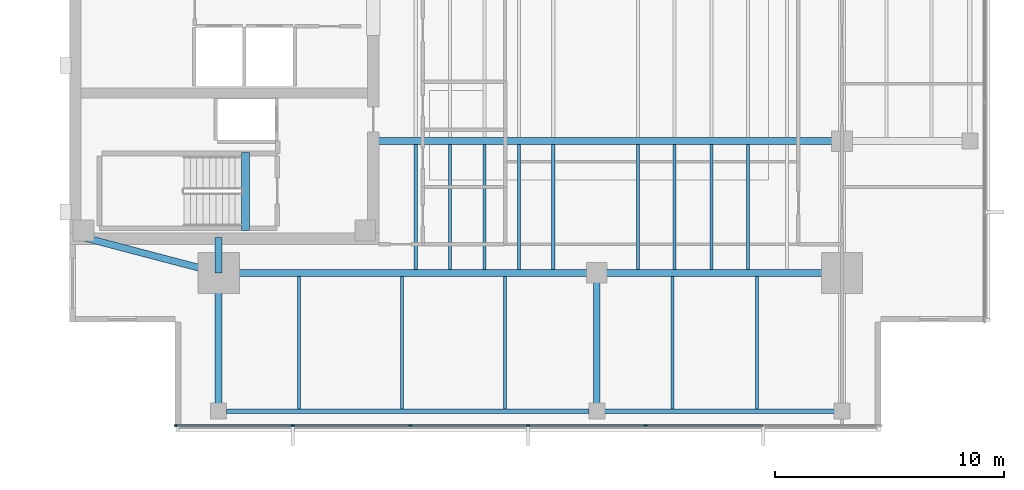
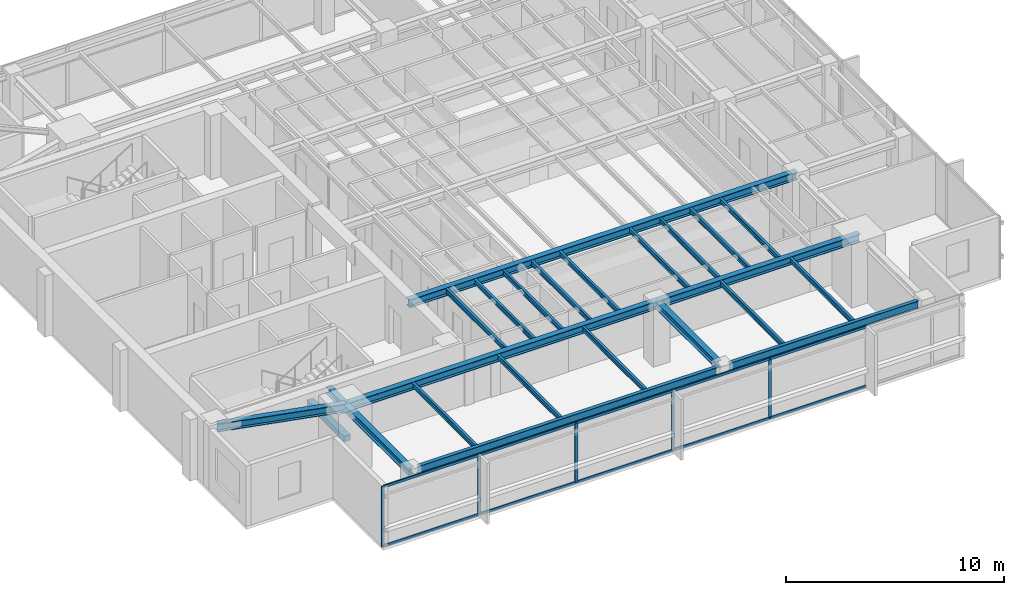
# One storey, part 2 of 14: 24 beams, 15 members, 1 element without a shape of its own.
"""IFC4 building model written with IfcOpenShell, lengths in metres."""

from ifc_helpers import new_model, si_unit, direction, frame, origin, origin_2d, place, context, subcontext, project, spatial, rectangle, i_section, extrude, material, layer, layer_set, material_profile, profile_set, type_object, element, aggregate, save


model = new_model("IFC4")

# Units and contexts
model_context = context("Model", 3, precision=1e-05, world=origin(), true_north=direction((0.0, 1.0)))
body_context = subcontext(model_context, "Body", "Model", "MODEL_VIEW")
ifc_project = project(units=[si_unit("LENGTHUNIT", "METRE"), si_unit("AREAUNIT", "SQUARE_METRE"), si_unit("VOLUMEUNIT", "CUBIC_METRE"), si_unit("PLANEANGLEUNIT", "RADIAN"), si_unit("MASSUNIT", "GRAM", prefix="KILO")], contexts=[model_context])

# Site, building, storey
site_placement = place(None, origin())
site = spatial("IfcSite", under=ifc_project, at=site_placement, CompositionType="ELEMENT")
building_placement = place(site_placement, origin())
building = spatial("IfcBuilding", under=site, at=building_placement, Name="Kinhvarn Gate Tower", CompositionType="ELEMENT")
storey_placement = place(building_placement, frame((0.0, 0.0, 284.75)))
storey = spatial("IfcBuildingStorey", under=building, at=storey_placement, Name="L76", CompositionType="ELEMENT", Elevation=284.75)

# Beam
ifc_material_1 = material(Name="Concrete C50/60", Category="concrete")
ifc_material_profile_1 = material_profile(ifc_material_1, rectangle(XDim=0.340087890625, YDim=0.320068359375, at=origin_2d()), Name="RC 340x320")
ifc_profile_set_1 = profile_set([ifc_material_profile_1], Name="Concrete C50/60")
beam_type_1 = type_object("IfcBeamType", Name="BM-LND-500", PredefinedType="BEAM", material=ifc_profile_set_1)
beam_1_placement = place(storey_placement, frame((12.1650390625, 14.60009765625, -0.159912109375), z_axis=(0.0, 1.0, 0.0), x_axis=(-1.0, 0.0, 0.0)))
element("IfcBeam", 1, at=beam_1_placement, inside=storey, type_object=beam_type_1, Name="Stair ST1 Landing Nosing Beam (L76)", PredefinedType="BEAM", context=body_context, shape_type="SweptSolid", body=[
    extrude(rectangle(XDim=0.340087890625, YDim=0.320068359375, at=origin_2d()), origin(), (0.0, 0.0, 1.0), 3.39990234375),
])

# Curtain wall, members
ifc_material_2 = material(Name="Anodised aluminium AW-6063", Category="aluminium")
ifc_layer = layer(ifc_material_2, 0.179931640625)
ifc_layer_set = layer_set([ifc_layer], Name="Anodised aluminium AW-6063")
curtain_wall_type = type_object("IfcCurtainWallType", Name="CW-SYS-3", PredefinedType="NOTDEFINED", material=ifc_layer_set)
curtain_wall_placement = place(storey_placement, origin())
curtain_wall = element("IfcCurtainWall", 2, at=curtain_wall_placement, inside=storey, type_object=curtain_wall_type, Name="Curtain Wall CW3 (L76)", PredefinedType="NOTDEFINED")
ifc_material_profile_2 = material_profile(ifc_material_2, rectangle(XDim=0.06494140625, YDim=0.159912109375, at=origin_2d()), Name="ALU 65x160")
ifc_profile_set_2 = profile_set([ifc_material_profile_2], Name="Anodised aluminium AW-6063")
member_type_1 = type_object("IfcMemberType", Name="CW-MUL-160", PredefinedType="MULLION", material=ifc_profile_set_2)
member_1_placement = place(storey_placement, frame((9.132568359375, 6.090087890625, 0.0), z_axis=(0.0, 0.0, 1.0), x_axis=(0.0, 1.0, 0.0)))
member_1 = element("IfcMember", 3, at=member_1_placement, type_object=member_type_1, Name="CW3 mullion 1", PredefinedType="MULLION", context=body_context, shape_type="SweptSolid", body=[
    extrude(rectangle(XDim=0.06494140625, YDim=0.159912109375, at=origin_2d()), origin(), (0.0, 0.0, 1.0), 3.389892578125),
])
member_2_placement = place(storey_placement, frame((14.2333984375, 6.090087890625, 0.0), z_axis=(0.0, 0.0, 1.0), x_axis=(0.0, 1.0, 0.0)))
member_2 = element("IfcMember", 4, at=member_2_placement, type_object=member_type_1, Name="CW3 mullion 2", PredefinedType="MULLION", context=body_context, shape_type="SweptSolid", body=[
    extrude(rectangle(XDim=0.06494140625, YDim=0.159912109375, at=origin_2d()), origin(), (0.0, 0.0, 1.0), 3.389892578125),
])
member_3_placement = place(storey_placement, frame((19.36669921875, 6.090087890625, 0.0), z_axis=(0.0, 0.0, 1.0), x_axis=(0.0, 1.0, 0.0)))
member_3 = element("IfcMember", 5, at=member_3_placement, type_object=member_type_1, Name="CW3 mullion 3", PredefinedType="MULLION", context=body_context, shape_type="SweptSolid", body=[
    extrude(rectangle(XDim=0.06494140625, YDim=0.159912109375, at=origin_2d()), origin(), (0.0, 0.0, 1.0), 3.389892578125),
])
member_4_placement = place(storey_placement, frame((24.5, 6.090087890625, 0.0), z_axis=(0.0, 0.0, 1.0), x_axis=(0.0, 1.0, 0.0)))
member_4 = element("IfcMember", 6, at=member_4_placement, type_object=member_type_1, Name="CW3 mullion 4", PredefinedType="MULLION", context=body_context, shape_type="SweptSolid", body=[
    extrude(rectangle(XDim=0.06494140625, YDim=0.159912109375, at=origin_2d()), origin(), (0.0, 0.0, 1.0), 3.389892578125),
])
member_5_placement = place(storey_placement, frame((29.63330078125, 6.090087890625, 0.0), z_axis=(0.0, 0.0, 1.0), x_axis=(0.0, 1.0, 0.0)))
member_5 = element("IfcMember", 7, at=member_5_placement, type_object=member_type_1, Name="CW3 mullion 5", PredefinedType="MULLION", context=body_context, shape_type="SweptSolid", body=[
    extrude(rectangle(XDim=0.06494140625, YDim=0.159912109375, at=origin_2d()), origin(), (0.0, 0.0, 1.0), 3.389892578125),
])
ifc_material_profile_3 = material_profile(ifc_material_2, rectangle(XDim=0.070068359375, YDim=0.139892578125, at=origin_2d()), Name="ALU 70x140")
ifc_profile_set_3 = profile_set([ifc_material_profile_3], Name="Anodised aluminium AW-6063")
member_type_2 = type_object("IfcMemberType", Name="CW-TRN-140", PredefinedType="USERDEFINED", material=ifc_profile_set_3)
member_6_placement = place(storey_placement, frame((9.1650390625, 6.090087890625, 0.034912109375), z_axis=(1.0, 0.0, 0.0), x_axis=(0.0, 1.0, 0.0)))
member_6 = element("IfcMember", 8, at=member_6_placement, type_object=member_type_2, Name="CW3 transom 1.1", ObjectType="TRANSOM", PredefinedType="USERDEFINED", context=body_context, shape_type="SweptSolid", body=[
    extrude(rectangle(XDim=0.070068359375, YDim=0.139892578125, at=origin_2d()), origin(), (0.0, 0.0, 1.0), 5.035888671875),
])
member_7_placement = place(storey_placement, frame((9.1650390625, 6.090087890625, 3.35498046875), z_axis=(1.0, 0.0, 0.0), x_axis=(0.0, 1.0, 0.0)))
member_7 = element("IfcMember", 9, at=member_7_placement, type_object=member_type_2, Name="CW3 transom 1.2", ObjectType="TRANSOM", PredefinedType="USERDEFINED", context=body_context, shape_type="SweptSolid", body=[
    extrude(rectangle(XDim=0.070068359375, YDim=0.139892578125, at=origin_2d()), origin(), (0.0, 0.0, 1.0), 5.035888671875),
])
member_8_placement = place(storey_placement, frame((14.265869140625, 6.090087890625, 0.034912109375), z_axis=(1.0, 0.0, 0.0), x_axis=(0.0, 1.0, 0.0)))
member_8 = element("IfcMember", 10, at=member_8_placement, type_object=member_type_2, Name="CW3 transom 2.1", ObjectType="TRANSOM", PredefinedType="USERDEFINED", context=body_context, shape_type="SweptSolid", body=[
    extrude(rectangle(XDim=0.070068359375, YDim=0.139892578125, at=origin_2d()), origin(), (0.0, 0.0, 1.0), 5.068359375),
])
member_9_placement = place(storey_placement, frame((14.265869140625, 6.090087890625, 3.35498046875), z_axis=(1.0, 0.0, 0.0), x_axis=(0.0, 1.0, 0.0)))
member_9 = element("IfcMember", 11, at=member_9_placement, type_object=member_type_2, Name="CW3 transom 2.2", ObjectType="TRANSOM", PredefinedType="USERDEFINED", context=body_context, shape_type="SweptSolid", body=[
    extrude(rectangle(XDim=0.070068359375, YDim=0.139892578125, at=origin_2d()), origin(), (0.0, 0.0, 1.0), 5.068359375),
])
member_10_placement = place(storey_placement, frame((19.399169921875, 6.090087890625, 0.034912109375), z_axis=(1.0, 0.0, 0.0), x_axis=(0.0, 1.0, 0.0)))
member_10 = element("IfcMember", 12, at=member_10_placement, type_object=member_type_2, Name="CW3 transom 3.1", ObjectType="TRANSOM", PredefinedType="USERDEFINED", context=body_context, shape_type="SweptSolid", body=[
    extrude(rectangle(XDim=0.070068359375, YDim=0.139892578125, at=origin_2d()), origin(), (0.0, 0.0, 1.0), 5.068359375),
])
member_11_placement = place(storey_placement, frame((19.399169921875, 6.090087890625, 3.35498046875), z_axis=(1.0, 0.0, 0.0), x_axis=(0.0, 1.0, 0.0)))
member_11 = element("IfcMember", 13, at=member_11_placement, type_object=member_type_2, Name="CW3 transom 3.2", ObjectType="TRANSOM", PredefinedType="USERDEFINED", context=body_context, shape_type="SweptSolid", body=[
    extrude(rectangle(XDim=0.070068359375, YDim=0.139892578125, at=origin_2d()), origin(), (0.0, 0.0, 1.0), 5.068359375),
])
member_12_placement = place(storey_placement, frame((24.532470703125, 6.090087890625, 0.034912109375), z_axis=(1.0, 0.0, 0.0), x_axis=(0.0, 1.0, 0.0)))
member_12 = element("IfcMember", 14, at=member_12_placement, type_object=member_type_2, Name="CW3 transom 4.1", ObjectType="TRANSOM", PredefinedType="USERDEFINED", context=body_context, shape_type="SweptSolid", body=[
    extrude(rectangle(XDim=0.070068359375, YDim=0.139892578125, at=origin_2d()), origin(), (0.0, 0.0, 1.0), 5.068359375),
])
member_13_placement = place(storey_placement, frame((24.532470703125, 6.090087890625, 3.35498046875), z_axis=(1.0, 0.0, 0.0), x_axis=(0.0, 1.0, 0.0)))
member_13 = element("IfcMember", 15, at=member_13_placement, type_object=member_type_2, Name="CW3 transom 4.2", ObjectType="TRANSOM", PredefinedType="USERDEFINED", context=body_context, shape_type="SweptSolid", body=[
    extrude(rectangle(XDim=0.070068359375, YDim=0.139892578125, at=origin_2d()), origin(), (0.0, 0.0, 1.0), 5.068359375),
])
member_14_placement = place(storey_placement, frame((29.665771484375, 6.090087890625, 0.034912109375), z_axis=(1.0, 0.0, 0.0), x_axis=(0.0, 1.0, 0.0)))
member_14 = element("IfcMember", 16, at=member_14_placement, type_object=member_type_2, Name="CW3 transom 5.1", ObjectType="TRANSOM", PredefinedType="USERDEFINED", context=body_context, shape_type="SweptSolid", body=[
    extrude(rectangle(XDim=0.070068359375, YDim=0.139892578125, at=origin_2d()), origin(), (0.0, 0.0, 1.0), 5.068359375),
])
member_15_placement = place(storey_placement, frame((29.665771484375, 6.090087890625, 3.35498046875), z_axis=(1.0, 0.0, 0.0), x_axis=(0.0, 1.0, 0.0)))
member_15 = element("IfcMember", 17, at=member_15_placement, type_object=member_type_2, Name="CW3 transom 5.2", ObjectType="TRANSOM", PredefinedType="USERDEFINED", context=body_context, shape_type="SweptSolid", body=[
    extrude(rectangle(XDim=0.070068359375, YDim=0.139892578125, at=origin_2d()), origin(), (0.0, 0.0, 1.0), 5.068359375),
])
aggregate(curtain_wall, [member_1, member_2, member_3, member_4, member_5, member_6, member_7, member_8, member_9, member_10, member_11, member_12, member_13, member_14, member_15])

# Beams
ifc_material_3 = material(Name="Steel S355", Category="steel")
ifc_material_profile_4 = material_profile(ifc_material_3, i_section(OverallWidth=0.300048828125, OverallDepth=0.39990234375, WebThickness=0.013427734375, FlangeThickness=0.02392578125, at=origin_2d()), Name="HEB 400")
ifc_profile_set_4 = profile_set([ifc_material_profile_4], Name="Steel S355")
beam_type_2 = type_object("IfcBeamType", Name="STL-HEB400", PredefinedType="BEAM", material=ifc_profile_set_4)
beam_2_placement = place(storey_placement, frame((11.0, 6.719970703125, 3.18994140625), z_axis=(0.0, 1.0, 0.0), x_axis=(-1.0, 0.0, 0.0)))
element("IfcBeam", 18, at=beam_2_placement, inside=storey, type_object=beam_type_2, Name="Floor Beam PG-12 (L76 MCW-S)", PredefinedType="BEAM", context=body_context, shape_type="SweptSolid", body=[
    extrude(i_section(OverallWidth=0.300048828125, OverallDepth=0.39990234375, WebThickness=0.013427734375, FlangeThickness=0.02392578125, at=origin_2d()), origin(), (0.0, 0.0, 1.0), 6.030029296875),
])
beam_3_placement = place(storey_placement, frame((11.0, 12.75, 3.18994140625), z_axis=(0.0, 1.0, 0.0), x_axis=(-1.0, 0.0, 0.0)))
element("IfcBeam", 19, at=beam_3_placement, inside=storey, type_object=beam_type_2, Name="Floor Beam PG-12 (L76 MCW-CS)", PredefinedType="BEAM", context=body_context, shape_type="SweptSolid", body=[
    extrude(i_section(OverallWidth=0.300048828125, OverallDepth=0.39990234375, WebThickness=0.013427734375, FlangeThickness=0.02392578125, at=origin_2d()), origin(), (0.0, 0.0, 1.0), 1.550048828125),
])
beam_4_placement = place(storey_placement, frame((27.5, 7.054931640625, 3.18994140625), z_axis=(0.0, 1.0, 0.0), x_axis=(-1.0, 0.0, 0.0)))
element("IfcBeam", 20, at=beam_4_placement, inside=storey, type_object=beam_type_2, Name="Floor Beam PG-12 (L76 SP27-S-TIE)", PredefinedType="BEAM", context=body_context, shape_type="SweptSolid", body=[
    extrude(i_section(OverallWidth=0.300048828125, OverallDepth=0.39990234375, WebThickness=0.013427734375, FlangeThickness=0.02392578125, at=origin_2d()), origin(), (0.0, 0.0, 1.0), 5.695068359375),
])
ifc_material_profile_5 = material_profile(ifc_material_3, i_section(OverallWidth=0.300048828125, OverallDepth=0.449951171875, WebThickness=0.013916015625, FlangeThickness=0.02587890625, at=origin_2d()), Name="HEB 450")
ifc_profile_set_5 = profile_set([ifc_material_profile_5], Name="Steel S355")
beam_type_3 = type_object("IfcBeamType", Name="STL-HEB450", PredefinedType="BEAM", material=ifc_profile_set_5)
beam_5_placement = place(storey_placement, frame((11.0, 12.75, 3.1650390625), z_axis=(1.0, 0.0, 0.0), x_axis=(0.0, 1.0, 0.0)))
element("IfcBeam", 21, at=beam_5_placement, inside=storey, type_object=beam_type_3, Name="Floor Beam PG-13 (L76 MG-S1)", PredefinedType="BEAM", context=body_context, shape_type="SweptSolid", body=[
    extrude(i_section(OverallWidth=0.300048828125, OverallDepth=0.449951171875, WebThickness=0.013916015625, FlangeThickness=0.02587890625, at=origin_2d()), origin(), (0.0, 0.0, 1.0), 16.5),
])
beam_6_placement = place(storey_placement, frame((27.5, 12.75, 3.1650390625), z_axis=(1.0, 0.0, 0.0), x_axis=(0.0, 1.0, 0.0)))
element("IfcBeam", 22, at=beam_6_placement, inside=storey, type_object=beam_type_3, Name="Floor Beam PG-13 (L76 MG-S2)", PredefinedType="BEAM", context=body_context, shape_type="SweptSolid", body=[
    extrude(i_section(OverallWidth=0.300048828125, OverallDepth=0.449951171875, WebThickness=0.013916015625, FlangeThickness=0.02587890625, at=origin_2d()), origin(), (0.0, 0.0, 1.0), 10.699951171875),
])
beam_7_placement = place(storey_placement, frame((5.10009765625, 14.300048828125, 3.1650390625), z_axis=(0.967177623957, -0.254101246979, 0.0), x_axis=(0.254101246979, 0.967177623957, 0.0)))
element("IfcBeam", 23, at=beam_7_placement, inside=storey, type_object=beam_type_3, Name="Floor Beam PG-13 (L76 MG-SW-DIAG)", PredefinedType="BEAM", context=body_context, shape_type="SweptSolid", body=[
    extrude(i_section(OverallWidth=0.300048828125, OverallDepth=0.449951171875, WebThickness=0.013916015625, FlangeThickness=0.02587890625, at=origin_2d()), origin(), (0.0, 0.0, 1.0), 6.10009765625),
])
beam_8_placement = place(storey_placement, frame((17.64990234375, 18.5, 3.1650390625), z_axis=(1.0, 0.0, 0.0), x_axis=(0.0, 1.0, 0.0)))
element("IfcBeam", 24, at=beam_8_placement, inside=storey, type_object=beam_type_3, Name="Floor Beam PG-13 (L76 EW1-Y18)", PredefinedType="BEAM", context=body_context, shape_type="SweptSolid", body=[
    extrude(i_section(OverallWidth=0.300048828125, OverallDepth=0.449951171875, WebThickness=0.013916015625, FlangeThickness=0.02587890625, at=origin_2d()), origin(), (0.0, 0.0, 1.0), 20.550048828125),
])
ifc_material_profile_6 = material_profile(ifc_material_3, i_section(OverallWidth=0.135009765625, OverallDepth=0.27001953125, WebThickness=0.006591796875, FlangeThickness=0.01025390625, at=origin_2d()), Name="IPE 270")
ifc_profile_set_6 = profile_set([ifc_material_profile_6], Name="Steel S355")
beam_type_4 = type_object("IfcBeamType", Name="STL-IPE270", PredefinedType="JOIST", material=ifc_profile_set_6)
for number, where, z_axis, x_axis, name in (
    (25, (19.60009765625, 12.89990234375, 3.2548828125), (0.0, 1.0, 0.0), (-1.0, 0.0, 0.0), "Floor Joist SB-01 (L76 JC-X196-0)"),
    (26, (21.10009765625, 12.89990234375, 3.2548828125), (0.0, 1.0, 0.0), (-1.0, 0.0, 0.0), "Floor Joist SB-01 (L76 JC-X211-0)"),
    (27, (22.60009765625, 12.89990234375, 3.2548828125), (0.0, 1.0, 0.0), (-1.0, 0.0, 0.0), "Floor Joist SB-01 (L76 JC-X226-0)"),
    (28, (24.10009765625, 12.89990234375, 3.2548828125), (0.0, 1.0, 0.0), (-1.0, 0.0, 0.0), "Floor Joist SB-01 (L76 JC-X241-0)"),
    (29, (25.60009765625, 12.89990234375, 3.2548828125), (0.0, 1.0, 0.0), (-1.0, 0.0, 0.0), "Floor Joist SB-01 (L76 JC-X256-0)"),
    (30, (29.300048828125, 12.89990234375, 3.2548828125), (0.0, 1.0, 0.0), (-1.0, 0.0, 0.0), "Floor Joist SB-01 (L76 JC-X293-0)"),
    (31, (30.89990234375, 12.89990234375, 3.2548828125), (0.0, 1.0, 0.0), (-1.0, 0.0, 0.0), "Floor Joist SB-01 (L76 JC-X309-0)"),
    (32, (32.5, 12.89990234375, 3.2548828125), (0.0, 1.0, 0.0), (-1.0, 0.0, 0.0), "Floor Joist SB-01 (L76 JC-X325-0)"),
    (33, (34.10009765625, 12.89990234375, 3.2548828125), (0.0, 1.0, 0.0), (-1.0, 0.0, 0.0), "Floor Joist SB-01 (L76 JC-X341-0)"),
):
    element("IfcBeam", number, at=place(storey_placement, frame(where, z_axis=z_axis, x_axis=x_axis)), inside=storey, type_object=beam_type_4, Name=name, PredefinedType="JOIST", context=body_context, shape_type="SweptSolid", body=[
        extrude(i_section(OverallWidth=0.135009765625, OverallDepth=0.27001953125, WebThickness=0.006591796875, FlangeThickness=0.01025390625, at=origin_2d()), origin(), (0.0, 0.0, 1.0), 5.4501953125),
    ])
for number, where, z_axis, x_axis, name in (
    (34, (14.5, 6.81494140625, 3.2548828125), (0.0, 1.0, 0.0), (-1.0, 0.0, 0.0), "Floor Joist SB-01 (L76 JS-X145)"),
    (35, (19.0, 6.81494140625, 3.2548828125), (0.0, 1.0, 0.0), (-1.0, 0.0, 0.0), "Floor Joist SB-01 (L76 JS-X190)"),
    (36, (23.5, 6.81494140625, 3.2548828125), (0.0, 1.0, 0.0), (-1.0, 0.0, 0.0), "Floor Joist SB-01 (L76 JS-X235)"),
    (37, (30.800048828125, 6.81494140625, 3.2548828125), (0.0, 1.0, 0.0), (-1.0, 0.0, 0.0), "Floor Joist SB-01 (L76 JS-X308)"),
    (38, (34.5, 6.81494140625, 3.2548828125), (0.0, 1.0, 0.0), (-1.0, 0.0, 0.0), "Floor Joist SB-01 (L76 JS-X345)"),
):
    element("IfcBeam", number, at=place(storey_placement, frame(where, z_axis=z_axis, x_axis=x_axis)), inside=storey, type_object=beam_type_4, Name=name, PredefinedType="JOIST", context=body_context, shape_type="SweptSolid", body=[
        extrude(i_section(OverallWidth=0.135009765625, OverallDepth=0.27001953125, WebThickness=0.006591796875, FlangeThickness=0.01025390625, at=origin_2d()), origin(), (0.0, 0.0, 1.0), 5.78515625),
    ])
ifc_material_profile_7 = material_profile(ifc_material_3, i_section(OverallWidth=0.18994140625, OverallDepth=0.449951171875, WebThickness=0.009521484375, FlangeThickness=0.0146484375, at=origin_2d()), Name="IPE 450")
ifc_profile_set_7 = profile_set([ifc_material_profile_7], Name="Steel S355")
beam_type_5 = type_object("IfcBeamType", Name="STL-IPE450", PredefinedType="JOIST", material=ifc_profile_set_7)
beam_9_placement = place(storey_placement, frame((11.3349609375, 6.719970703125, 3.1650390625), z_axis=(1.0, 0.0, 0.0), x_axis=(0.0, 1.0, 0.0)))
element("IfcBeam", 39, at=beam_9_placement, inside=storey, type_object=beam_type_5, Name="Floor Joist SB-06 (L76 SP-S1)", PredefinedType="JOIST", context=body_context, shape_type="SweptSolid", body=[
    extrude(i_section(OverallWidth=0.18994140625, OverallDepth=0.449951171875, WebThickness=0.009521484375, FlangeThickness=0.0146484375, at=origin_2d()), origin(), (0.0, 0.0, 1.0), 15.830078125),
])
beam_10_placement = place(storey_placement, frame((27.8349609375, 6.719970703125, 3.1650390625), z_axis=(1.0, 0.0, 0.0), x_axis=(0.0, 1.0, 0.0)))
element("IfcBeam", 40, at=beam_10_placement, inside=storey, type_object=beam_type_5, Name="Floor Joist SB-06 (L76 SP-S2)", PredefinedType="JOIST", context=body_context, shape_type="SweptSolid", body=[
    extrude(i_section(OverallWidth=0.18994140625, OverallDepth=0.449951171875, WebThickness=0.009521484375, FlangeThickness=0.0146484375, at=origin_2d()), origin(), (0.0, 0.0, 1.0), 10.030029296875),
])

save(model, "model.ifc")
